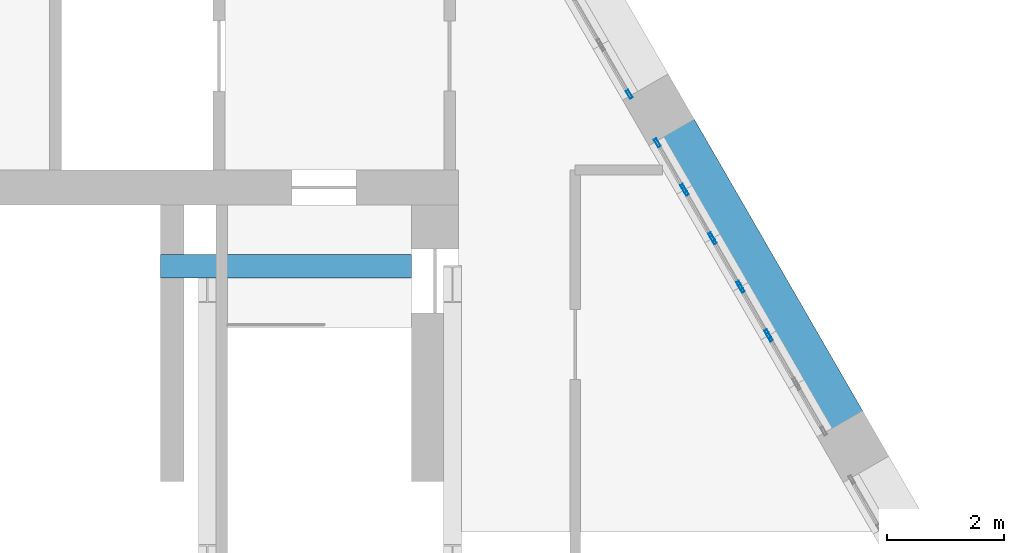
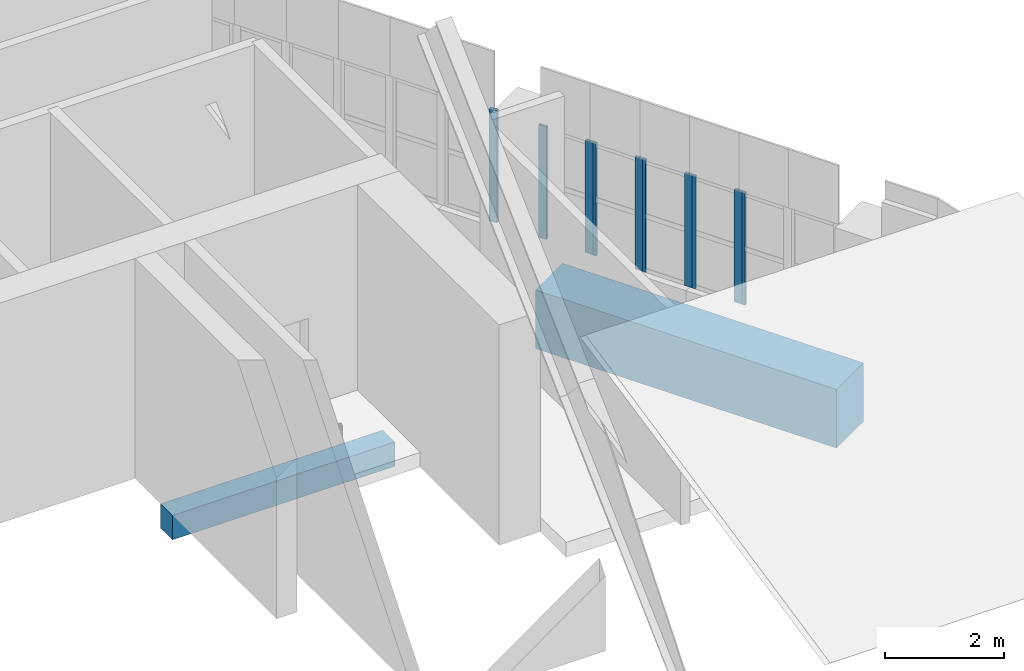
# One storey, part 6 of 16: 10 members, 2 beams, 6 elements without a shape of their own.
"""IFC4 building model written with IfcOpenShell, lengths in metres."""

from ifc_helpers import new_model, si_unit, direction, frame, origin, origin_2d, place, context, subcontext, project, spatial, rectangle, hollow_rectangle, extrude, material, material_profile, profile_set, type_object, element, aggregate, save


model = new_model("IFC4")

# Units and contexts
model_context = context("Model", 3, precision=1e-05, world=origin(), true_north=direction((0.0, 1.0)))
body_context = subcontext(model_context, "Body", "Model", "MODEL_VIEW")
ifc_project = project(units=[si_unit("LENGTHUNIT", "METRE"), si_unit("AREAUNIT", "SQUARE_METRE"), si_unit("VOLUMEUNIT", "CUBIC_METRE"), si_unit("PLANEANGLEUNIT", "RADIAN"), si_unit("MASSUNIT", "GRAM", prefix="KILO")], contexts=[model_context])

# Site, building, storey
site_placement = place(None, origin())
site = spatial("IfcSite", under=ifc_project, at=site_placement, CompositionType="ELEMENT")
building_placement = place(site_placement, origin())
building = spatial("IfcBuilding", under=site, at=building_placement, Name="Ostrander Bayou Hotel Tower", CompositionType="ELEMENT")
storey_placement = place(building_placement, frame((0.0, 0.0, 288.5)))
storey = spatial("IfcBuildingStorey", under=building, at=storey_placement, Name="L71", CompositionType="ELEMENT", Elevation=288.5)

# Curtain wall, member
ifc_material_1 = material(Name="Aluminium and clear glass", Category="aluminium")
curtain_wall_type = type_object("IfcCurtainWallType", Name="CW-CROWN glazed wall", PredefinedType="NOTDEFINED", material=ifc_material_1)
curtain_wall_1_placement = place(storey_placement, origin())
curtain_wall_1 = element("IfcCurtainWall", 1, at=curtain_wall_1_placement, inside=storey, type_object=curtain_wall_type, Name="CW-CROWN L71:NE-2-2", PredefinedType="NOTDEFINED")
ifc_material_2 = material(Name="Aluminium", Category="aluminium")
ifc_material_profile_1 = material_profile(ifc_material_2, hollow_rectangle(XDim=0.050048828125, YDim=0.14990234375, WallThickness=0.00390625, at=origin_2d()))
ifc_profile_set_1 = profile_set([ifc_material_profile_1], Name="Aluminium")
member_type = type_object("IfcMemberType", Name="CW-CR mullion 50 x 150 mm", PredefinedType="MULLION", material=ifc_profile_set_1)
member_1_placement = place(storey_placement, frame((13.826171875, 6.839599609375, 1.0), z_axis=(0.0, 0.0, 1.0), x_axis=(-0.866022491007, -0.500005045044, 0.0)))
member_1 = element("IfcMember", 2, at=member_1_placement, type_object=member_type, Name="CW-CROWN mullion 2", PredefinedType="MULLION", context=body_context, shape_type="SweptSolid", body=[
    extrude(hollow_rectangle(XDim=0.050048828125, YDim=0.14990234375, WallThickness=0.00390625, at=origin_2d()), origin(), (0.0, 0.0, 1.0), 2.300048828125),
])
aggregate(curtain_wall_1, [member_1])

# Curtain wall, members
curtain_wall_2_placement = place(storey_placement, origin())
curtain_wall_2 = element("IfcCurtainWall", 3, at=curtain_wall_2_placement, inside=storey, type_object=curtain_wall_type, Name="CW-CROWN L71:NE-2-3", PredefinedType="NOTDEFINED")
member_2_placement = place(storey_placement, frame((13.796142578125, 6.8916015625, 1.0), z_axis=(0.0, 0.0, 1.0), x_axis=(-0.866048535364, -0.499959932788, 0.0)))
member_2 = element("IfcMember", 4, at=member_2_placement, type_object=member_type, Name="CW-CROWN mullion 1", PredefinedType="MULLION", context=body_context, shape_type="SweptSolid", body=[
    extrude(hollow_rectangle(XDim=0.050048828125, YDim=0.14990234375, WallThickness=0.00390625, at=origin_2d()), origin(), (0.0, 0.0, 1.0), 2.300048828125),
])
member_3_placement = place(storey_placement, frame((13.34619140625, 7.6708984375, 1.0), z_axis=(0.0, 0.0, 1.0), x_axis=(-0.866048535364, -0.499959932788, 0.0)))
member_3 = element("IfcMember", 5, at=member_3_placement, type_object=member_type, Name="CW-CROWN mullion 2", PredefinedType="MULLION", context=body_context, shape_type="SweptSolid", body=[
    extrude(hollow_rectangle(XDim=0.050048828125, YDim=0.14990234375, WallThickness=0.00390625, at=origin_2d()), origin(), (0.0, 0.0, 1.0), 2.300048828125),
])
aggregate(curtain_wall_2, [member_2, member_3])

curtain_wall_3_placement = place(storey_placement, origin())
curtain_wall_3 = element("IfcCurtainWall", 6, at=curtain_wall_3_placement, inside=storey, type_object=curtain_wall_type, Name="CW-CROWN L71:NE-2-4", PredefinedType="NOTDEFINED")
member_4_placement = place(storey_placement, frame((13.316162109375, 7.722900390625, 1.0), z_axis=(0.0, 0.0, 1.0), x_axis=(-0.866022491007, -0.500005045044, 0.0)))
member_4 = element("IfcMember", 7, at=member_4_placement, type_object=member_type, Name="CW-CROWN mullion 1", PredefinedType="MULLION", context=body_context, shape_type="SweptSolid", body=[
    extrude(hollow_rectangle(XDim=0.050048828125, YDim=0.14990234375, WallThickness=0.00390625, at=origin_2d()), origin(), (0.0, 0.0, 1.0), 2.300048828125),
])
member_5_placement = place(storey_placement, frame((12.8662109375, 8.501953125, 1.0), z_axis=(0.0, 0.0, 1.0), x_axis=(-0.866022491007, -0.500005045044, 0.0)))
member_5 = element("IfcMember", 8, at=member_5_placement, type_object=member_type, Name="CW-CROWN mullion 2", PredefinedType="MULLION", context=body_context, shape_type="SweptSolid", body=[
    extrude(hollow_rectangle(XDim=0.050048828125, YDim=0.14990234375, WallThickness=0.00390625, at=origin_2d()), origin(), (0.0, 0.0, 1.0), 2.300048828125),
])
aggregate(curtain_wall_3, [member_4, member_5])

curtain_wall_4_placement = place(storey_placement, origin())
curtain_wall_4 = element("IfcCurtainWall", 9, at=curtain_wall_4_placement, inside=storey, type_object=curtain_wall_type, Name="CW-CROWN L71:NE-2-5", PredefinedType="NOTDEFINED")
member_6_placement = place(storey_placement, frame((12.836181640625, 8.553955078125, 1.0), z_axis=(0.0, 0.0, 1.0), x_axis=(-0.866022491007, -0.500005045044, 0.0)))
member_6 = element("IfcMember", 10, at=member_6_placement, type_object=member_type, Name="CW-CROWN mullion 1", PredefinedType="MULLION", context=body_context, shape_type="SweptSolid", body=[
    extrude(hollow_rectangle(XDim=0.050048828125, YDim=0.14990234375, WallThickness=0.00390625, at=origin_2d()), origin(), (0.0, 0.0, 1.0), 2.300048828125),
])
member_7_placement = place(storey_placement, frame((12.386474609375, 9.333251953125, 1.0), z_axis=(0.0, 0.0, 1.0), x_axis=(-0.866022491007, -0.500005045044, 0.0)))
member_7 = element("IfcMember", 11, at=member_7_placement, type_object=member_type, Name="CW-CROWN mullion 2", PredefinedType="MULLION", context=body_context, shape_type="SweptSolid", body=[
    extrude(hollow_rectangle(XDim=0.050048828125, YDim=0.14990234375, WallThickness=0.00390625, at=origin_2d()), origin(), (0.0, 0.0, 1.0), 2.300048828125),
])
aggregate(curtain_wall_4, [member_6, member_7])

curtain_wall_5_placement = place(storey_placement, origin())
curtain_wall_5 = element("IfcCurtainWall", 12, at=curtain_wall_5_placement, inside=storey, type_object=curtain_wall_type, Name="CW-CROWN L71:NE-2-6", PredefinedType="NOTDEFINED")
member_8_placement = place(storey_placement, frame((12.3564453125, 9.38525390625, 1.0), z_axis=(0.0, 0.0, 1.0), x_axis=(-0.866022491007, -0.500005045044, 0.0)))
member_8 = element("IfcMember", 13, at=member_8_placement, type_object=member_type, Name="CW-CROWN mullion 1", PredefinedType="MULLION", context=body_context, shape_type="SweptSolid", body=[
    extrude(hollow_rectangle(XDim=0.050048828125, YDim=0.14990234375, WallThickness=0.00390625, at=origin_2d()), origin(), (0.0, 0.0, 1.0), 2.300048828125),
])
member_9_placement = place(storey_placement, frame((11.906494140625, 10.164306640625, 1.0), z_axis=(0.0, 0.0, 1.0), x_axis=(-0.866022491007, -0.500005045044, 0.0)))
member_9 = element("IfcMember", 14, at=member_9_placement, type_object=member_type, Name="CW-CROWN mullion 2", PredefinedType="MULLION", context=body_context, shape_type="SweptSolid", body=[
    extrude(hollow_rectangle(XDim=0.050048828125, YDim=0.14990234375, WallThickness=0.00390625, at=origin_2d()), origin(), (0.0, 0.0, 1.0), 2.300048828125),
])
aggregate(curtain_wall_5, [member_8, member_9])

# Curtain wall, member
curtain_wall_6_placement = place(storey_placement, origin())
curtain_wall_6 = element("IfcCurtainWall", 15, at=curtain_wall_6_placement, inside=storey, type_object=curtain_wall_type, Name="CW-CROWN L71:NE-3-1", PredefinedType="NOTDEFINED")
member_10_placement = place(storey_placement, frame((11.426513671875, 10.995849609375, 1.0), z_axis=(0.0, 0.0, 1.0), x_axis=(-0.866026229865, -0.499998569184, 0.0)))
member_10 = element("IfcMember", 16, at=member_10_placement, type_object=member_type, Name="CW-CROWN mullion 1", PredefinedType="MULLION", context=body_context, shape_type="SweptSolid", body=[
    extrude(hollow_rectangle(XDim=0.050048828125, YDim=0.14990234375, WallThickness=0.00390625, at=origin_2d()), origin(), (0.0, 0.0, 1.0), 2.300048828125),
])
aggregate(curtain_wall_6, [member_10])

# Beams
ifc_material_3 = material(Name="Concrete f'c 60 MPa", Category="concrete")
ifc_material_profile_2 = material_profile(ifc_material_3, rectangle(XDim=0.39990234375, YDim=0.5, at=origin_2d()))
ifc_profile_set_2 = profile_set([ifc_material_profile_2], Name="Concrete f'c 60 MPa")
beam_type_1 = type_object("IfcBeamType", Name="LD1 landing support beam 400 x 500 mm f'c 60 MPa", PredefinedType="BEAM", material=ifc_profile_set_2)
beam_1_placement = place(storey_placement, frame((7.699951171875, 8.050048828125, -0.550048828125), z_axis=(-1.0, 0.0, 0.0), x_axis=(0.0, -1.0, 0.0)))
element("IfcBeam", 17, at=beam_1_placement, inside=storey, type_object=beam_type_1, Name="LD1 L71 LANDING BEAM 002", PredefinedType="BEAM", context=body_context, shape_type="SweptSolid", body=[
    extrude(rectangle(XDim=0.39990234375, YDim=0.5, at=origin_2d()), origin(), (0.0, 0.0, 1.0), 4.300048828125),
])
ifc_material_4 = material(Name="Concrete f'c 60 MPa", Category="concrete")
ifc_material_profile_3 = material_profile(ifc_material_4, rectangle(XDim=0.89990234375, YDim=1.199951171875, at=origin_2d()))
ifc_profile_set_3 = profile_set([ifc_material_profile_3], Name="Concrete f'c 60 MPa")
beam_type_2 = type_object("IfcBeamType", Name="SP4 spandrel beam 900 x 1200 mm f'c 60 MPa", PredefinedType="SPANDREL", material=ifc_profile_set_3)
beam_2_placement = place(storey_placement, frame((15.045654296875, 5.3271484375, -0.60009765625), z_axis=(-0.499997265274, 0.866026982673, 0.0), x_axis=(-0.866026982673, -0.499997265274, 0.0)))
element("IfcBeam", 18, at=beam_2_placement, inside=storey, type_object=beam_type_2, Name="SP4 L71 NE-2", PredefinedType="SPANDREL", context=body_context, shape_type="SweptSolid", body=[
    extrude(rectangle(XDim=0.89990234375, YDim=1.199951171875, at=origin_2d()), origin(), (0.0, 0.0, 1.0), 5.81884765625),
])

save(model, "model.ifc")
